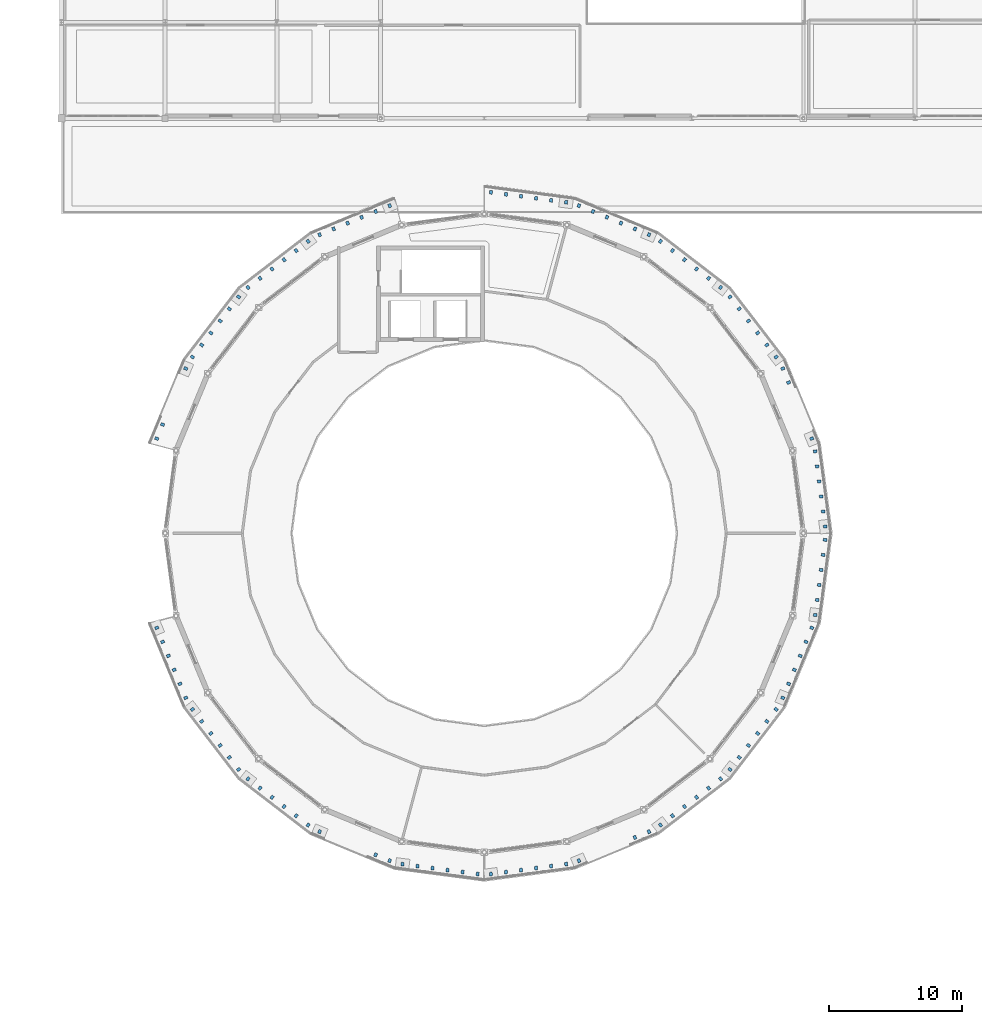
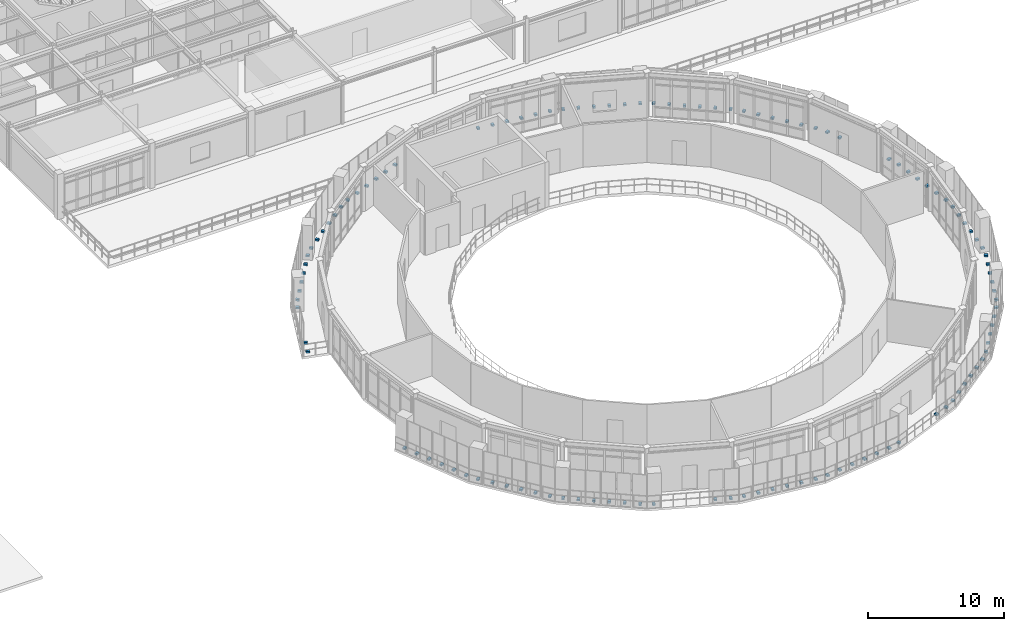
# One storey, part 50 of 58: 114 discrete accessories.
"""IFC4 building model written with IfcOpenShell, lengths in metres."""

from ifc_helpers import new_model, si_unit, derived_unit, direction, frame, origin, origin_2d, place, context, subcontext, project, spatial, rectangle, extrude, material, type_object, element, save


model = new_model("IFC4")

# Units and contexts
model_context = context("Model", 3, precision=1e-05, world=origin(), true_north=direction((0.0, 1.0)))
body_context = subcontext(model_context, "Body", "Model", "MODEL_VIEW")
ifc_project = project(units=[si_unit("LENGTHUNIT", "METRE"), si_unit("AREAUNIT", "SQUARE_METRE"), si_unit("VOLUMEUNIT", "CUBIC_METRE"), si_unit("PLANEANGLEUNIT", "RADIAN"), si_unit("MASSUNIT", "GRAM", prefix="KILO"), derived_unit("THERMALTRANSMITTANCEUNIT", [(si_unit("POWERUNIT", "WATT"), 1), (si_unit("AREAUNIT", "SQUARE_METRE"), -1), (si_unit("THERMODYNAMICTEMPERATUREUNIT", "KELVIN"), -1)])], contexts=[model_context])

# Site, building, storey
site_placement = place(None, origin())
site = spatial("IfcSite", under=ifc_project, at=site_placement, CompositionType="ELEMENT")
building_placement = place(site_placement, origin())
building = spatial("IfcBuilding", under=site, at=building_placement, Name="Yasenodar Specialist Clinic", CompositionType="ELEMENT")
storey_placement = place(building_placement, frame((0.0, 0.0, 17.25)))
storey = spatial("IfcBuildingStorey", under=building, at=storey_placement, Name="L04", CompositionType="ELEMENT", Elevation=17.25)

# Discrete accessories
ifc_material = material(Name="Steel S355", Category="steel")
discrete_accessory_type = type_object("IfcDiscreteAccessoryType", Name="ACC-BRK-STEEL", PredefinedType="BRACKET", material=ifc_material)
for number, where, z_axis, x_axis, name in (
    (1, (106.6298828125, 59.2998046875, -0.02001953125), (0.0, 0.0, 1.0), (-0.130519185854, 0.991445783754, 0.0), "L04 Jali Shutter Base Guide Bracket 0331"),
    (2, (106.481201171875, 60.429931640625, -0.02001953125), (0.0, 0.0, 1.0), (-0.130519185854, 0.991445783754, 0.0), "L04 Jali Shutter Base Guide Bracket 0332"),
    (3, (106.332275390625, 61.560302734375, -0.02001953125), (0.0, 0.0, 1.0), (-0.130519185854, 0.991445783754, 0.0), "L04 Jali Shutter Base Guide Bracket 0333"),
    (4, (106.18359375, 62.6904296875, -0.02001953125), (0.0, 0.0, 1.0), (-0.130519185854, 0.991445783754, 0.0), "L04 Jali Shutter Base Guide Bracket 0334"),
    (5, (106.034912109375, 63.820556640625, -0.02001953125), (0.0, 0.0, 1.0), (-0.130519185854, 0.991445783754, 0.0), "L04 Jali Shutter Base Guide Bracket 0335"),
    (6, (105.885986328125, 64.95068359375, -0.02001953125), (0.0, 0.0, 1.0), (-0.130519185854, 0.991445783754, 0.0), "L04 Jali Shutter Base Guide Bracket 0336"),
    (7, (105.627197265625, 65.916259765625, -0.02001953125), (0.0, 0.0, 1.0), (-0.382686667195, 0.923878192594, 0.0), "L04 Jali Shutter Base Guide Bracket 0337"),
    (8, (103.88232421875, 70.12890625, -0.02001953125), (0.0, 0.0, 1.0), (-0.382686667195, 0.923878192594, 0.0), "L04 Jali Shutter Base Guide Bracket 0338"),
    (9, (103.446044921875, 71.18212890625, -0.02001953125), (0.0, 0.0, 1.0), (-0.382686667195, 0.923878192594, 0.0), "L04 Jali Shutter Base Guide Bracket 0339"),
    (10, (102.9462890625, 72.0478515625, -0.02001953125), (0.0, 0.0, 1.0), (-0.608764217148, 0.793351200869, 0.0), "L04 Jali Shutter Base Guide Bracket 0340"),
    (11, (102.252197265625, 72.9521484375, -0.02001953125), (0.0, 0.0, 1.0), (-0.608764217148, 0.793351200869, 0.0), "L04 Jali Shutter Base Guide Bracket 0341"),
    (12, (101.558349609375, 73.8564453125, -0.02001953125), (0.0, 0.0, 1.0), (-0.608764217148, 0.793351200869, 0.0), "L04 Jali Shutter Base Guide Bracket 0342"),
    (13, (100.864501953125, 74.760986328125, -0.02001953125), (0.0, 0.0, 1.0), (-0.608764217148, 0.793351200869, 0.0), "L04 Jali Shutter Base Guide Bracket 0343"),
    (14, (100.17041015625, 75.665283203125, -0.02001953125), (0.0, 0.0, 1.0), (-0.608764217148, 0.793351200869, 0.0), "L04 Jali Shutter Base Guide Bracket 0344"),
    (15, (99.4765625, 76.569580078125, -0.02001953125), (0.0, 0.0, 1.0), (-0.608764217148, 0.793351200869, 0.0), "L04 Jali Shutter Base Guide Bracket 0345"),
    (16, (98.76953125, 77.276611328125, -0.02001953125), (0.0, 0.0, 1.0), (-0.793351200869, 0.608764217148, 0.0), "L04 Jali Shutter Base Guide Bracket 0346"),
    (17, (97.865234375, 77.970458984375, -0.02001953125), (0.0, 0.0, 1.0), (-0.793351200869, 0.608764217148, 0.0), "L04 Jali Shutter Base Guide Bracket 0347"),
    (18, (96.9609375, 78.664306640625, -0.02001953125), (0.0, 0.0, 1.0), (-0.793351200869, 0.608764217148, 0.0), "L04 Jali Shutter Base Guide Bracket 0348"),
    (19, (96.056396484375, 79.3583984375, -0.02001953125), (0.0, 0.0, 1.0), (-0.793351200869, 0.608764217148, 0.0), "L04 Jali Shutter Base Guide Bracket 0349"),
    (20, (95.152099609375, 80.05224609375, -0.02001953125), (0.0, 0.0, 1.0), (-0.793351200869, 0.608764217148, 0.0), "L04 Jali Shutter Base Guide Bracket 0350"),
    (21, (94.247802734375, 80.74609375, -0.02001953125), (0.0, 0.0, 1.0), (-0.793351200869, 0.608764217148, 0.0), "L04 Jali Shutter Base Guide Bracket 0351"),
    (22, (93.382080078125, 81.24609375, -0.02001953125), (0.0, 0.0, 1.0), (-0.923878192594, 0.382686667195, 0.0), "L04 Jali Shutter Base Guide Bracket 0352"),
    (23, (92.328857421875, 81.682373046875, -0.02001953125), (0.0, 0.0, 1.0), (-0.923878192594, 0.382686667195, 0.0), "L04 Jali Shutter Base Guide Bracket 0353"),
    (24, (91.27587890625, 82.118408203125, -0.02001953125), (0.0, 0.0, 1.0), (-0.923878192594, 0.382686667195, 0.0), "L04 Jali Shutter Base Guide Bracket 0354"),
    (25, (90.22265625, 82.5546875, -0.02001953125), (0.0, 0.0, 1.0), (-0.923878192594, 0.382686667195, 0.0), "L04 Jali Shutter Base Guide Bracket 0355"),
    (26, (89.16943359375, 82.990966796875, -0.02001953125), (0.0, 0.0, 1.0), (-0.923878192594, 0.382686667195, 0.0), "L04 Jali Shutter Base Guide Bracket 0356"),
    (27, (88.1162109375, 83.42724609375, -0.02001953125), (0.0, 0.0, 1.0), (-0.923878192594, 0.382686667195, 0.0), "L04 Jali Shutter Base Guide Bracket 0357"),
    (28, (87.150634765625, 83.68603515625, -0.02001953125), (0.0, 0.0, 1.0), (-0.991445783754, 0.130519185854, 0.0), "L04 Jali Shutter Base Guide Bracket 0358"),
    (29, (86.0205078125, 83.834716796875, -0.02001953125), (0.0, 0.0, 1.0), (-0.991445783754, 0.130519185854, 0.0), "L04 Jali Shutter Base Guide Bracket 0359"),
    (30, (84.890380859375, 83.9833984375, -0.02001953125), (0.0, 0.0, 1.0), (-0.991445783754, 0.130519185854, 0.0), "L04 Jali Shutter Base Guide Bracket 0360"),
    (31, (83.76025390625, 84.13232421875, -0.02001953125), (0.0, 0.0, 1.0), (-0.991445783754, 0.130519185854, 0.0), "L04 Jali Shutter Base Guide Bracket 0361"),
    (32, (82.6298828125, 84.281005859375, -0.02001953125), (0.0, 0.0, 1.0), (-0.991445783754, 0.130519185854, 0.0), "L04 Jali Shutter Base Guide Bracket 0362"),
    (33, (81.499755859375, 84.429931640625, -0.02001953125), (0.0, 0.0, 1.0), (-0.991445783754, 0.130519185854, 0.0), "L04 Jali Shutter Base Guide Bracket 0363"),
    (34, (73.8837890625, 83.42724609375, -0.02001953125), (0.0, 0.0, 1.0), (-0.923878192594, -0.382686667195, 0.0), "L04 Jali Shutter Base Guide Bracket 0364"),
    (35, (72.83056640625, 82.990966796875, -0.02001953125), (0.0, 0.0, 1.0), (-0.923878192594, -0.382686667195, 0.0), "L04 Jali Shutter Base Guide Bracket 0365"),
    (36, (71.77734375, 82.5546875, -0.02001953125), (0.0, 0.0, 1.0), (-0.923878192594, -0.382686667195, 0.0), "L04 Jali Shutter Base Guide Bracket 0366"),
    (37, (70.72412109375, 82.118408203125, -0.02001953125), (0.0, 0.0, 1.0), (-0.923878192594, -0.382686667195, 0.0), "L04 Jali Shutter Base Guide Bracket 0367"),
    (38, (69.671142578125, 81.682373046875, -0.02001953125), (0.0, 0.0, 1.0), (-0.923878192594, -0.382686667195, 0.0), "L04 Jali Shutter Base Guide Bracket 0368"),
    (39, (68.617919921875, 81.24609375, -0.02001953125), (0.0, 0.0, 1.0), (-0.923878192594, -0.382686667195, 0.0), "L04 Jali Shutter Base Guide Bracket 0369"),
    (40, (67.752197265625, 80.74609375, -0.02001953125), (0.0, 0.0, 1.0), (-0.793351200869, -0.608764217148, 0.0), "L04 Jali Shutter Base Guide Bracket 0370"),
    (41, (66.847900390625, 80.05224609375, -0.02001953125), (0.0, 0.0, 1.0), (-0.793351200869, -0.608764217148, 0.0), "L04 Jali Shutter Base Guide Bracket 0371"),
    (42, (65.943603515625, 79.3583984375, -0.02001953125), (0.0, 0.0, 1.0), (-0.793351200869, -0.608764217148, 0.0), "L04 Jali Shutter Base Guide Bracket 0372"),
    (43, (65.0390625, 78.664306640625, -0.02001953125), (0.0, 0.0, 1.0), (-0.793351200869, -0.608764217148, 0.0), "L04 Jali Shutter Base Guide Bracket 0373"),
    (44, (64.134765625, 77.970458984375, -0.02001953125), (0.0, 0.0, 1.0), (-0.793351200869, -0.608764217148, 0.0), "L04 Jali Shutter Base Guide Bracket 0374"),
    (45, (63.23046875, 77.276611328125, -0.02001953125), (0.0, 0.0, 1.0), (-0.793351200869, -0.608764217148, 0.0), "L04 Jali Shutter Base Guide Bracket 0375"),
    (46, (62.5234375, 76.569580078125, -0.02001953125), (0.0, 0.0, 1.0), (-0.608764217148, -0.793351200869, 0.0), "L04 Jali Shutter Base Guide Bracket 0376"),
    (47, (61.82958984375, 75.665283203125, -0.02001953125), (0.0, 0.0, 1.0), (-0.608764217148, -0.793351200869, 0.0), "L04 Jali Shutter Base Guide Bracket 0377"),
    (48, (61.135498046875, 74.760986328125, -0.02001953125), (0.0, 0.0, 1.0), (-0.608764217148, -0.793351200869, 0.0), "L04 Jali Shutter Base Guide Bracket 0378"),
    (49, (60.441650390625, 73.8564453125, -0.02001953125), (0.0, 0.0, 1.0), (-0.608764217148, -0.793351200869, 0.0), "L04 Jali Shutter Base Guide Bracket 0379"),
    (50, (59.747802734375, 72.9521484375, -0.02001953125), (0.0, 0.0, 1.0), (-0.608764217148, -0.793351200869, 0.0), "L04 Jali Shutter Base Guide Bracket 0380"),
    (51, (59.0537109375, 72.0478515625, -0.02001953125), (0.0, 0.0, 1.0), (-0.608764217148, -0.793351200869, 0.0), "L04 Jali Shutter Base Guide Bracket 0381"),
    (52, (58.553955078125, 71.18212890625, -0.02001953125), (0.0, 0.0, 1.0), (-0.382686667195, -0.923878192594, 0.0), "L04 Jali Shutter Base Guide Bracket 0382"),
    (53, (56.80908203125, 66.969482421875, -0.02001953125), (0.0, 0.0, 1.0), (-0.382686667195, -0.923878192594, 0.0), "L04 Jali Shutter Base Guide Bracket 0383"),
    (54, (56.372802734375, 65.916259765625, -0.02001953125), (0.0, 0.0, 1.0), (-0.382686667195, -0.923878192594, 0.0), "L04 Jali Shutter Base Guide Bracket 0384"),
    (55, (56.372802734375, 51.68359375, -0.02001953125), (0.0, 0.0, 1.0), (0.382686667195, -0.923878192594, 0.0), "L04 Jali Shutter Base Guide Bracket 0385"),
    (56, (56.80908203125, 50.630615234375, -0.02001953125), (0.0, 0.0, 1.0), (0.382686667195, -0.923878192594, 0.0), "L04 Jali Shutter Base Guide Bracket 0386"),
    (57, (57.2451171875, 49.577392578125, -0.02001953125), (0.0, 0.0, 1.0), (0.382686667195, -0.923878192594, 0.0), "L04 Jali Shutter Base Guide Bracket 0387"),
    (58, (57.681396484375, 48.524169921875, -0.02001953125), (0.0, 0.0, 1.0), (0.382686667195, -0.923878192594, 0.0), "L04 Jali Shutter Base Guide Bracket 0388"),
    (59, (58.11767578125, 47.47119140625, -0.02001953125), (0.0, 0.0, 1.0), (0.382686667195, -0.923878192594, 0.0), "L04 Jali Shutter Base Guide Bracket 0389"),
    (60, (58.553955078125, 46.41796875, -0.02001953125), (0.0, 0.0, 1.0), (0.382686667195, -0.923878192594, 0.0), "L04 Jali Shutter Base Guide Bracket 0390"),
    (61, (59.0537109375, 45.55224609375, -0.02001953125), (0.0, 0.0, 1.0), (0.608764217148, -0.793351200869, 0.0), "L04 Jali Shutter Base Guide Bracket 0391"),
    (62, (59.747802734375, 44.647705078125, -0.02001953125), (0.0, 0.0, 1.0), (0.608764217148, -0.793351200869, 0.0), "L04 Jali Shutter Base Guide Bracket 0392"),
    (63, (60.441650390625, 43.743408203125, -0.02001953125), (0.0, 0.0, 1.0), (0.608764217148, -0.793351200869, 0.0), "L04 Jali Shutter Base Guide Bracket 0393"),
    (64, (61.135498046875, 42.839111328125, -0.02001953125), (0.0, 0.0, 1.0), (0.608764217148, -0.793351200869, 0.0), "L04 Jali Shutter Base Guide Bracket 0394"),
    (65, (61.82958984375, 41.934814453125, -0.02001953125), (0.0, 0.0, 1.0), (0.608764217148, -0.793351200869, 0.0), "L04 Jali Shutter Base Guide Bracket 0395"),
    (66, (62.5234375, 41.030517578125, -0.02001953125), (0.0, 0.0, 1.0), (0.608764217148, -0.793351200869, 0.0), "L04 Jali Shutter Base Guide Bracket 0396"),
    (67, (63.23046875, 40.323486328125, -0.02001953125), (0.0, 0.0, 1.0), (0.793351200869, -0.608764217148, 0.0), "L04 Jali Shutter Base Guide Bracket 0397"),
    (68, (64.134765625, 39.629638671875, -0.02001953125), (0.0, 0.0, 1.0), (0.793351200869, -0.608764217148, 0.0), "L04 Jali Shutter Base Guide Bracket 0398"),
    (69, (65.0390625, 38.935546875, -0.02001953125), (0.0, 0.0, 1.0), (0.793351200869, -0.608764217148, 0.0), "L04 Jali Shutter Base Guide Bracket 0399"),
    (70, (65.943603515625, 38.24169921875, -0.02001953125), (0.0, 0.0, 1.0), (0.793351200869, -0.608764217148, 0.0), "L04 Jali Shutter Base Guide Bracket 0400"),
    (71, (66.847900390625, 37.547607421875, -0.02001953125), (0.0, 0.0, 1.0), (0.793351200869, -0.608764217148, 0.0), "L04 Jali Shutter Base Guide Bracket 0401"),
    (72, (67.752197265625, 36.853759765625, -0.02001953125), (0.0, 0.0, 1.0), (0.793351200869, -0.608764217148, 0.0), "L04 Jali Shutter Base Guide Bracket 0402"),
    (73, (68.617919921875, 36.35400390625, -0.02001953125), (0.0, 0.0, 1.0), (0.923878192594, -0.382686667195, 0.0), "L04 Jali Shutter Base Guide Bracket 0403"),
    (74, (72.83056640625, 34.60888671875, -0.02001953125), (0.0, 0.0, 1.0), (0.923878192594, -0.382686667195, 0.0), "L04 Jali Shutter Base Guide Bracket 0404"),
    (75, (73.8837890625, 34.1728515625, -0.02001953125), (0.0, 0.0, 1.0), (0.923878192594, -0.382686667195, 0.0), "L04 Jali Shutter Base Guide Bracket 0405"),
    (76, (74.849365234375, 33.9140625, -0.02001953125), (0.0, 0.0, 1.0), (0.991445783754, -0.130519185854, 0.0), "L04 Jali Shutter Base Guide Bracket 0406"),
    (77, (75.9794921875, 33.76513671875, -0.02001953125), (0.0, 0.0, 1.0), (0.991445783754, -0.130519185854, 0.0), "L04 Jali Shutter Base Guide Bracket 0407"),
    (78, (77.109619140625, 33.616455078125, -0.02001953125), (0.0, 0.0, 1.0), (0.991445783754, -0.130519185854, 0.0), "L04 Jali Shutter Base Guide Bracket 0408"),
    (79, (78.23974609375, 33.4677734375, -0.02001953125), (0.0, 0.0, 1.0), (0.991445783754, -0.130519185854, 0.0), "L04 Jali Shutter Base Guide Bracket 0409"),
    (80, (79.3701171875, 33.31884765625, -0.02001953125), (0.0, 0.0, 1.0), (0.991445783754, -0.130519185854, 0.0), "L04 Jali Shutter Base Guide Bracket 0410"),
    (81, (80.500244140625, 33.170166015625, -0.02001953125), (0.0, 0.0, 1.0), (0.991445783754, -0.130519185854, 0.0), "L04 Jali Shutter Base Guide Bracket 0411"),
    (82, (81.499755859375, 33.170166015625, -0.02001953125), (0.0, 0.0, 1.0), (0.991445783754, 0.130519185854, 0.0), "L04 Jali Shutter Base Guide Bracket 0412"),
    (83, (82.6298828125, 33.31884765625, -0.02001953125), (0.0, 0.0, 1.0), (0.991445783754, 0.130519185854, 0.0), "L04 Jali Shutter Base Guide Bracket 0413"),
    (84, (83.76025390625, 33.4677734375, -0.02001953125), (0.0, 0.0, 1.0), (0.991445783754, 0.130519185854, 0.0), "L04 Jali Shutter Base Guide Bracket 0414"),
    (85, (84.890380859375, 33.616455078125, -0.02001953125), (0.0, 0.0, 1.0), (0.991445783754, 0.130519185854, 0.0), "L04 Jali Shutter Base Guide Bracket 0415"),
    (86, (86.0205078125, 33.76513671875, -0.02001953125), (0.0, 0.0, 1.0), (0.991445783754, 0.130519185854, 0.0), "L04 Jali Shutter Base Guide Bracket 0416"),
    (87, (87.150634765625, 33.9140625, -0.02001953125), (0.0, 0.0, 1.0), (0.991445783754, 0.130519185854, 0.0), "L04 Jali Shutter Base Guide Bracket 0417"),
    (88, (88.1162109375, 34.1728515625, -0.02001953125), (0.0, 0.0, 1.0), (0.923878192594, 0.382686667195, 0.0), "L04 Jali Shutter Base Guide Bracket 0418"),
    (89, (92.328857421875, 35.917724609375, -0.02001953125), (0.0, 0.0, 1.0), (0.923878192594, 0.382686667195, 0.0), "L04 Jali Shutter Base Guide Bracket 0419"),
    (90, (93.382080078125, 36.35400390625, -0.02001953125), (0.0, 0.0, 1.0), (0.923878192594, 0.382686667195, 0.0), "L04 Jali Shutter Base Guide Bracket 0420"),
    (91, (94.247802734375, 36.853759765625, -0.02001953125), (0.0, 0.0, 1.0), (0.793351200869, 0.608764217148, 0.0), "L04 Jali Shutter Base Guide Bracket 0421"),
    (92, (95.152099609375, 37.547607421875, -0.02001953125), (0.0, 0.0, 1.0), (0.793351200869, 0.608764217148, 0.0), "L04 Jali Shutter Base Guide Bracket 0422"),
    (93, (96.056396484375, 38.24169921875, -0.02001953125), (0.0, 0.0, 1.0), (0.793351200869, 0.608764217148, 0.0), "L04 Jali Shutter Base Guide Bracket 0423"),
    (94, (96.9609375, 38.935546875, -0.02001953125), (0.0, 0.0, 1.0), (0.793351200869, 0.608764217148, 0.0), "L04 Jali Shutter Base Guide Bracket 0424"),
    (95, (97.865234375, 39.629638671875, -0.02001953125), (0.0, 0.0, 1.0), (0.793351200869, 0.608764217148, 0.0), "L04 Jali Shutter Base Guide Bracket 0425"),
    (96, (98.76953125, 40.323486328125, -0.02001953125), (0.0, 0.0, 1.0), (0.793351200869, 0.608764217148, 0.0), "L04 Jali Shutter Base Guide Bracket 0426"),
    (97, (99.4765625, 41.030517578125, -0.02001953125), (0.0, 0.0, 1.0), (0.608764217148, 0.793351200869, 0.0), "L04 Jali Shutter Base Guide Bracket 0427"),
    (98, (100.17041015625, 41.934814453125, -0.02001953125), (0.0, 0.0, 1.0), (0.608764217148, 0.793351200869, 0.0), "L04 Jali Shutter Base Guide Bracket 0428"),
    (99, (100.864501953125, 42.839111328125, -0.02001953125), (0.0, 0.0, 1.0), (0.608764217148, 0.793351200869, 0.0), "L04 Jali Shutter Base Guide Bracket 0429"),
    (100, (101.558349609375, 43.743408203125, -0.02001953125), (0.0, 0.0, 1.0), (0.608764217148, 0.793351200869, 0.0), "L04 Jali Shutter Base Guide Bracket 0430"),
    (101, (102.252197265625, 44.647705078125, -0.02001953125), (0.0, 0.0, 1.0), (0.608764217148, 0.793351200869, 0.0), "L04 Jali Shutter Base Guide Bracket 0431"),
    (102, (102.9462890625, 45.55224609375, -0.02001953125), (0.0, 0.0, 1.0), (0.608764217148, 0.793351200869, 0.0), "L04 Jali Shutter Base Guide Bracket 0432"),
    (103, (103.446044921875, 46.41796875, -0.02001953125), (0.0, 0.0, 1.0), (0.382686667195, 0.923878192594, 0.0), "L04 Jali Shutter Base Guide Bracket 0433"),
    (104, (103.88232421875, 47.47119140625, -0.02001953125), (0.0, 0.0, 1.0), (0.382686667195, 0.923878192594, 0.0), "L04 Jali Shutter Base Guide Bracket 0434"),
    (105, (104.318603515625, 48.524169921875, -0.02001953125), (0.0, 0.0, 1.0), (0.382686667195, 0.923878192594, 0.0), "L04 Jali Shutter Base Guide Bracket 0435"),
    (106, (104.7548828125, 49.577392578125, -0.02001953125), (0.0, 0.0, 1.0), (0.382686667195, 0.923878192594, 0.0), "L04 Jali Shutter Base Guide Bracket 0436"),
    (107, (105.19091796875, 50.630615234375, -0.02001953125), (0.0, 0.0, 1.0), (0.382686667195, 0.923878192594, 0.0), "L04 Jali Shutter Base Guide Bracket 0437"),
    (108, (105.627197265625, 51.68359375, -0.02001953125), (0.0, 0.0, 1.0), (0.382686667195, 0.923878192594, 0.0), "L04 Jali Shutter Base Guide Bracket 0438"),
    (109, (105.885986328125, 52.6494140625, -0.02001953125), (0.0, 0.0, 1.0), (0.130519185854, 0.991445783754, 0.0), "L04 Jali Shutter Base Guide Bracket 0439"),
    (110, (106.034912109375, 53.779296875, -0.02001953125), (0.0, 0.0, 1.0), (0.130519185854, 0.991445783754, 0.0), "L04 Jali Shutter Base Guide Bracket 0440"),
    (111, (106.18359375, 54.90966796875, -0.02001953125), (0.0, 0.0, 1.0), (0.130519185854, 0.991445783754, 0.0), "L04 Jali Shutter Base Guide Bracket 0441"),
    (112, (106.332275390625, 56.039794921875, -0.02001953125), (0.0, 0.0, 1.0), (0.130519185854, 0.991445783754, 0.0), "L04 Jali Shutter Base Guide Bracket 0442"),
    (113, (106.481201171875, 57.169921875, -0.02001953125), (0.0, 0.0, 1.0), (0.130519185854, 0.991445783754, 0.0), "L04 Jali Shutter Base Guide Bracket 0443"),
    (114, (106.6298828125, 58.30029296875, -0.02001953125), (0.0, 0.0, 1.0), (0.130519185854, 0.991445783754, 0.0), "L04 Jali Shutter Base Guide Bracket 0444"),
):
    element("IfcDiscreteAccessory", number, at=place(storey_placement, frame(where, z_axis=z_axis, x_axis=x_axis)), inside=storey, type_object=discrete_accessory_type, Name=name, PredefinedType="BRACKET", context=body_context, shape_type="SweptSolid", body=[
        extrude(rectangle(XDim=0.219970703125, YDim=0.280029296875, at=origin_2d()), origin(), (0.0, 0.0, 1.0), 0.159912109375),
    ])

save(model, "model.ifc")
